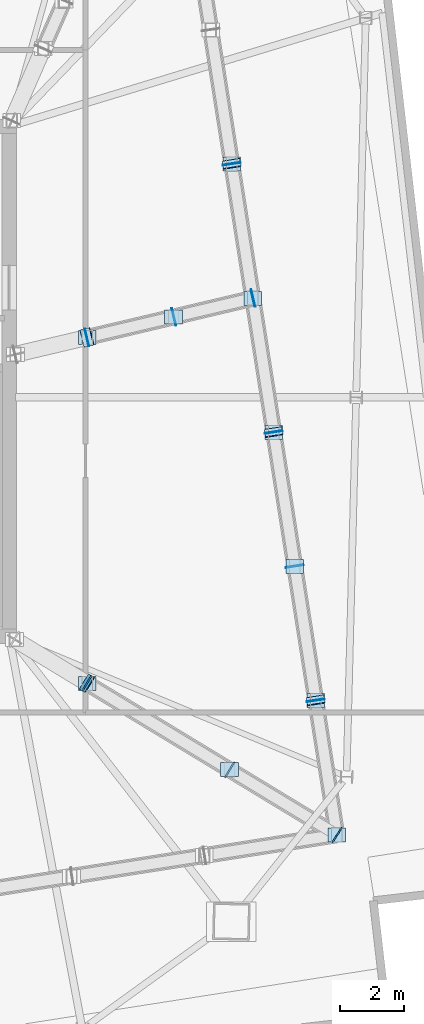
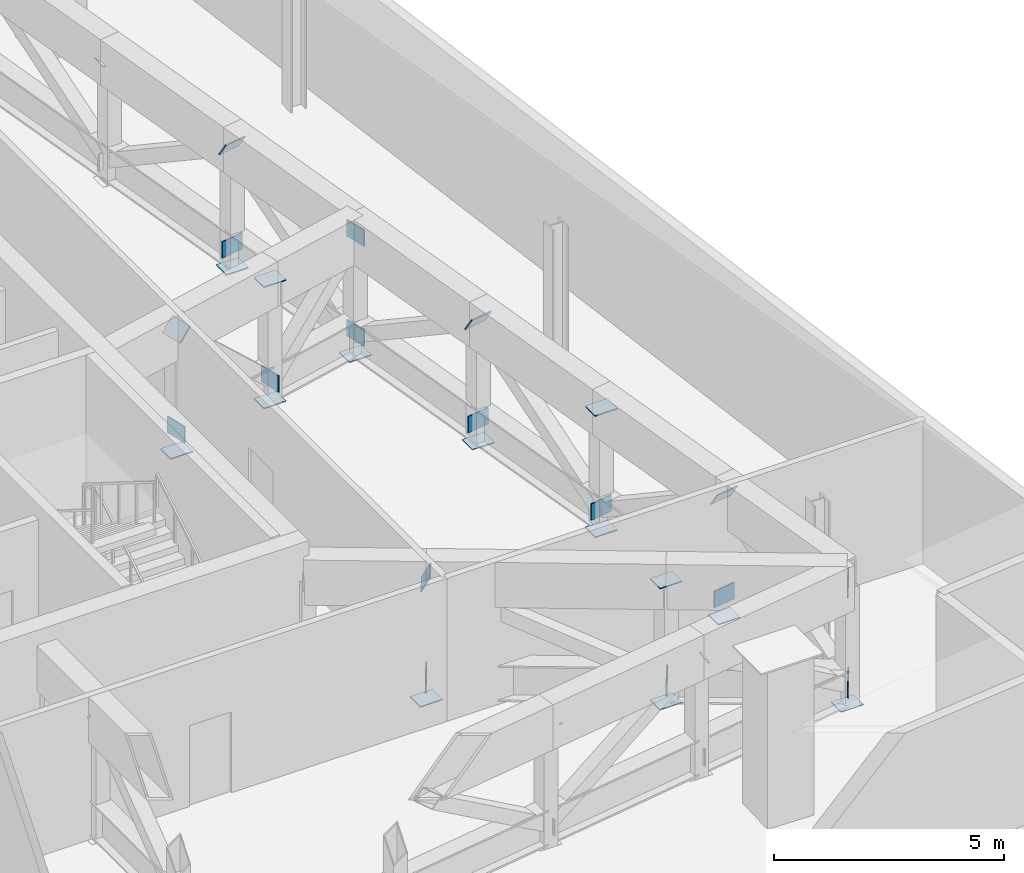
# One storey, part 7 of 13: 30 plates.
"""IFC4 building model written with IfcOpenShell, lengths in metres."""

from ifc_helpers import new_model, si_unit, direction, frame, origin, origin_2d, place, context, subcontext, project, spatial, rectangle, extrude, source, transform, mapped, material, layer, layer_set, type_object, element, save


model = new_model("IFC4")

# Units and contexts
model_context = context("Model", 3, precision=1e-05, world=origin(), true_north=direction((0.0, 1.0)))
body_context = subcontext(model_context, "Body", "Model", "MODEL_VIEW")
ifc_project = project(units=[si_unit("LENGTHUNIT", "METRE"), si_unit("AREAUNIT", "SQUARE_METRE"), si_unit("VOLUMEUNIT", "CUBIC_METRE"), si_unit("PLANEANGLEUNIT", "RADIAN"), si_unit("MASSUNIT", "GRAM", prefix="KILO")], contexts=[model_context])

# Site, building, storey
site_placement = place(None, origin())
site = spatial("IfcSite", under=ifc_project, at=site_placement, CompositionType="ELEMENT")
building_placement = place(site_placement, origin())
building = spatial("IfcBuilding", under=site, at=building_placement, Name="Haldenkirk Collegiate Tower", CompositionType="ELEMENT")
storey_placement = place(building_placement, frame((0.0, 0.0, 352.199951171875)))
storey = spatial("IfcBuildingStorey", under=building, at=storey_placement, Name="L89", CompositionType="ELEMENT", Elevation=352.199951171875)

# Plates
ifc_material = material(Name="Steel ASTM A572 Grade 50", Category="steel")
ifc_layer = layer(ifc_material, 0.028076171875)
ifc_layer_set = layer_set([ifc_layer], Name="Steel ASTM A572 Grade 50")
plate_type = type_object("IfcPlateType", Name="PLT-CAP-INT-560X440", PredefinedType="USERDEFINED", material=ifc_layer_set)
shared_shape = source(origin(), body_context, "Body", "SweptSolid", [
    extrude(rectangle(XDim=0.56005859375, YDim=0.43994140625, at=origin_2d()), origin(), (0.0, 0.0, 1.0), 0.028076171875),
])
for number, where, z_axis, x_axis, name in (
    (1, (47.45263671875, 16.512451171875, 0.550048828125), (-0.855030507056, 0.518577701028, 0.0), (-0.518577701028, -0.855030507056, 0.0), "Outrigger Truss L89-1 bottom chord 2 end plate 1"),
    (2, (51.9111328125, 13.80859375, 0.550048828125), (0.855030507056, -0.518577701028, 0.0), (0.518577701028, 0.855030507056, 0.0), "Outrigger Truss L89-1 bottom chord 2 end plate 2"),
    (3, (47.452392578125, 16.5126953125, 3.19873046875), (-0.762422114772, 0.46241406961, 0.452643068139), (-0.518580491611, -0.855028814556, 2.62192e-07), "Outrigger Truss L89-1 web diagonal 2 end cap plate 1"),
    (4, (55.2822265625, 11.763916015625, 3.199951171875), (0.855030507056, -0.518577701028, 0.0), (0.518577701028, 0.855030507056, 0.0), "Outrigger Truss L89-1 top chord 3 end cap plate 2"),
    (5, (55.2822265625, 11.763916015625, 0.550048828125), (0.855030507056, -0.518577701028, 0.0), (0.518577701028, 0.855030507056, 0.0), "Outrigger Truss L89-1 bottom chord 3 end plate 2"),
    (6, (47.449951171875, 16.51416015625, 0.0029296875), (0.0, 0.0, -1.0), (1.0, 0.0, 0.0), "Outrigger Truss L89-1 vertical post 2 end cap plate 1"),
    (7, (51.91357421875, 13.806884765625, 0.0029296875), (0.0, 0.0, -1.0), (1.0, 0.0, 0.0), "Outrigger Truss L89-1 vertical post 3 end cap plate 1"),
    (8, (51.91357421875, 13.806884765625, 3.19677734375), (0.0, 0.0, 1.0), (1.0, 0.0, 0.0), "Outrigger Truss L89-1 vertical post 3 end cap plate 2"),
    (9, (55.284912109375, 11.76220703125, 0.0029296875), (0.0, 0.0, -1.0), (1.0, 0.0, 0.0), "Outrigger Truss L89-1 vertical post 4 end cap plate 1"),
    (10, (47.452880859375, 27.379638671875, 0.550048828125), (-0.973202196974, -0.229951046542, 0.0), (0.229951046542, -0.973202196974, 0.0), "Outrigger Truss L89-2 bottom chord 2 end plate 1"),
    (11, (50.159912109375, 28.019287109375, 0.550048828125), (0.973202196974, 0.229951046542, 0.0), (-0.229951046542, 0.973202196974, 0.0), "Outrigger Truss L89-2 bottom chord 2 end plate 2"),
    (12, (47.4521484375, 27.379638671875, 3.197998046875), (-0.705346776609, -0.166657947218, 0.688992781788), (0.229946779605, -0.973203205168, 2.4875e-07), "Outrigger Truss L89-2 web diagonal 2 end cap plate 1"),
    (13, (52.64404296875, 28.606201171875, 3.199951171875), (0.97319985328, 0.229960965331, 0.0), (-0.229960965331, 0.97319985328, 0.0), "Outrigger Truss L89-2 top chord 3 end cap plate 2"),
    (14, (52.64404296875, 28.606201171875, 0.550048828125), (0.973202196974, 0.229951046542, 0.0), (-0.229951046542, 0.973202196974, 0.0), "Outrigger Truss L89-2 bottom chord 3 end plate 2"),
    (15, (47.449951171875, 27.37890625, 0.0029296875), (0.0, 0.0, -1.0), (1.0, 0.0, 0.0), "Outrigger Truss L89-2 vertical post 2 end cap plate 1"),
    (16, (50.162841796875, 28.02001953125, 0.0029296875), (0.0, 0.0, -1.0), (1.0, 0.0, 0.0), "Outrigger Truss L89-2 vertical post 3 end cap plate 1"),
    (17, (50.162841796875, 28.02001953125, 3.19677734375), (0.0, 0.0, 1.0), (1.0, 0.0, 0.0), "Outrigger Truss L89-2 vertical post 3 end cap plate 2"),
    (18, (52.647216796875, 28.60693359375, 0.0029296875), (0.0, 0.0, -1.0), (1.0, 0.0, 0.0), "Outrigger Truss L89-2 vertical post 4 end cap plate 1"),
    (19, (54.6259765625, 15.970458984375, 0.550048828125), (-0.154709988729, 0.987959928027, 0.0), (-0.987959928027, -0.154709988729, 0.0), "Belt Truss L89-1 bottom chord 1 end plate 2"),
    (20, (54.6259765625, 15.970947265625, 3.198486328125), (-0.131378008656, 0.839032055279, 0.527982034786), (-0.987961865826, -0.154697613664, -3.89826e-07), "Belt Truss L89-1 web diagonal 1 end cap plate 2"),
    (21, (53.966552734375, 20.181640625, 0.550048828125), (-0.154709988729, 0.987959928027, 0.0), (-0.987959928027, -0.154709988729, 0.0), "Belt Truss L89-1 bottom chord 2 end plate 2"),
    (22, (53.30712890625, 24.392578125, 0.550048828125), (-0.154709988729, 0.987959928027, 0.0), (-0.987959928027, -0.154709988729, 0.0), "Belt Truss L89-1 bottom chord 3 end plate 2"),
    (23, (53.30712890625, 24.39306640625, 3.198486328125), (-0.131379970359, 0.839026810703, 0.527989880878), (-0.987961327515, -0.154701051502, -1.34e-10), "Belt Truss L89-1 web diagonal 3 end cap plate 2"),
    (24, (54.62548828125, 15.973388671875, 0.0029296875), (0.0, 0.0, -1.0), (1.0, 0.0, 0.0), "Belt Truss L89-1 vertical post 2 end cap plate 1"),
    (25, (53.966064453125, 20.1845703125, 0.0029296875), (0.0, 0.0, -1.0), (1.0, 0.0, 0.0), "Belt Truss L89-1 vertical post 3 end cap plate 1"),
    (26, (53.966064453125, 20.1845703125, 3.19677734375), (0.0, 0.0, 1.0), (1.0, 0.0, 0.0), "Belt Truss L89-1 vertical post 3 end cap plate 2"),
    (27, (53.306640625, 24.395751953125, 0.0029296875), (0.0, 0.0, -1.0), (1.0, 0.0, 0.0), "Belt Truss L89-1 vertical post 4 end cap plate 1"),
    (28, (51.98828125, 32.815185546875, 0.550048828125), (-0.154709988729, 0.987959928027, 0.0), (-0.987959928027, -0.154709988729, 0.0), "Belt Truss L89-2 bottom chord 1 end plate 2"),
    (29, (51.98828125, 32.815673828125, 3.198486328125), (-0.131378008656, 0.839032055279, 0.527982034786), (-0.987961865826, -0.154697613664, -3.89826e-07), "Belt Truss L89-2 web diagonal 1 end cap plate 2"),
    (30, (51.98779296875, 32.818115234375, 0.0029296875), (0.0, 0.0, -1.0), (1.0, 0.0, 0.0), "Belt Truss L89-2 vertical post 2 end cap plate 1"),
):
    element("IfcPlate", number, at=place(storey_placement, frame(where, z_axis=z_axis, x_axis=x_axis)), inside=storey, type_object=plate_type, Name=name, ObjectType="END CAP PLATE", PredefinedType="USERDEFINED", context=body_context, shape_type="MappedRepresentation", body=[
        mapped(shared_shape, transform((0.0, 0.0, 0.0), x_axis=(1.0, 0.0, 0.0), y_axis=(0.0, 1.0, 0.0), z_axis=(0.0, 0.0, 1.0), scale=1.0)),
    ])

save(model, "model.ifc")
